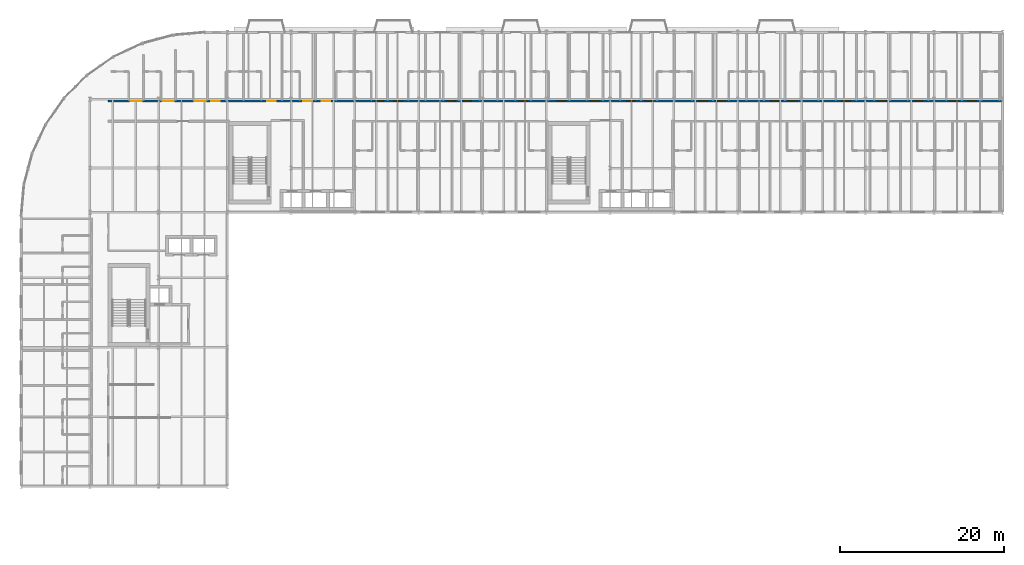
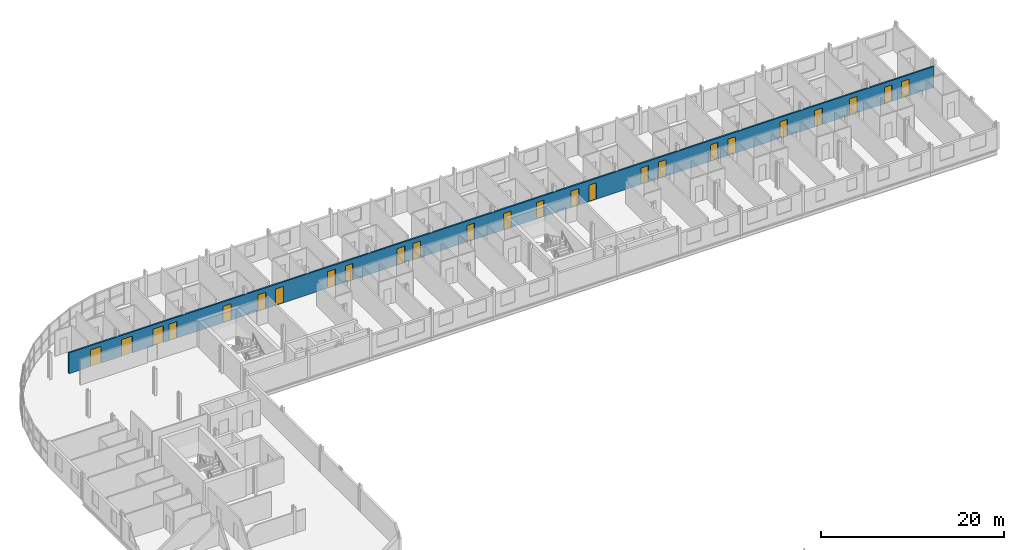
# One storey, part 28 of 36: 25 doors, 1 wall, 25 openings.
"""IFC4 building model written with IfcOpenShell, lengths in metres."""

from ifc_helpers import new_model, si_unit, direction, frame, frame_2d, origin, place, context, subcontext, project, spatial, rectangle, extrude, material, layer, layer_set, type_object, element, fill, save


model = new_model("IFC4")

# Units and contexts
model_context = context("Model", 3, precision=1e-05, world=origin(), true_north=direction((0.0, 1.0)))
body_context = subcontext(model_context, "Body", "Model", "MODEL_VIEW")
ifc_project = project(units=[si_unit("LENGTHUNIT", "METRE"), si_unit("AREAUNIT", "SQUARE_METRE"), si_unit("VOLUMEUNIT", "CUBIC_METRE"), si_unit("PLANEANGLEUNIT", "RADIAN"), si_unit("MASSUNIT", "GRAM", prefix="KILO")], contexts=[model_context])

# Site, building, storey
site_placement = place(None, origin())
site = spatial("IfcSite", under=ifc_project, at=site_placement, CompositionType="ELEMENT")
building_placement = place(site_placement, origin())
building = spatial("IfcBuilding", under=site, at=building_placement, Name="Sefraquen Railside Congress Hotel", CompositionType="ELEMENT")
storey_placement = place(building_placement, frame((0.0, 0.0, 28.199951171875)))
storey = spatial("IfcBuildingStorey", under=building, at=storey_placement, Name="L06", CompositionType="ELEMENT", Elevation=28.199951171875)

# Wall, openings, doors
ifc_material_1 = material(Name="Acoustic gypsum board on metal stud", Category="gypsum")
ifc_layer = layer(ifc_material_1, 0.199951171875)
ifc_layer_set = layer_set([ifc_layer], Name="Acoustic gypsum board on metal stud")
wall_type = type_object("IfcWallType", Name="TW-PW-200", PredefinedType="PARTITIONING", material=ifc_layer_set)
wall_placement = place(storey_placement, frame((10.64990234375, 109.60009765625, 0.0), z_axis=(0.0, 0.0, 1.0), x_axis=(1.0, 0.0, 0.0)))
wall = element("IfcWall", 1, at=wall_placement, inside=storey, type_object=wall_type, Name="Hotel L06 north corridor fire-rated partition", PredefinedType="PARTITIONING", context=body_context, shape_type="SweptSolid", body=[
    extrude(rectangle(XDim=109.210205078125, YDim=0.199951171875, at=frame_2d((54.60498046875, 0.0))), origin(), (0.0, 0.0, 1.0), 2.800048828125),
])
opening_1_placement = place(wall_placement, frame((12.611083984375, 0.0, 0.0)))
opening_1 = element("IfcOpeningElement", 2, at=opening_1_placement, cuts=wall, Name="Opening GD-01", PredefinedType="OPENING", context=body_context, shape_type="SweptSolid", body=[
    extrude(rectangle(XDim=1.02001953125, YDim=2.199951171875, at=frame_2d((0.510009765625, 1.10009765625))), frame((0.0, 0.10986328125, 0.0), z_axis=(0.0, -1.0, 0.0), x_axis=(1.0, 0.0, 0.0)), (0.0, 0.0, 1.0), 0.219970703125),
])
opening_2_placement = place(wall_placement, frame((19.450927734375, 0.0, 0.0)))
opening_2 = element("IfcOpeningElement", 3, at=opening_2_placement, cuts=wall, Name="Opening GD-01", PredefinedType="OPENING", context=body_context, shape_type="SweptSolid", body=[
    extrude(rectangle(XDim=1.02001953125, YDim=2.199951171875, at=frame_2d((0.510009765625, 1.10009765625))), frame((0.0, 0.10986328125, 0.0), z_axis=(0.0, -1.0, 0.0), x_axis=(1.0, 0.0, 0.0)), (0.0, 0.0, 1.0), 0.219970703125),
])
opening_3_placement = place(wall_placement, frame((23.842041015625, 0.0, 0.0)))
opening_3 = element("IfcOpeningElement", 4, at=opening_3_placement, cuts=wall, Name="Opening GD-01", PredefinedType="OPENING", context=body_context, shape_type="SweptSolid", body=[
    extrude(rectangle(XDim=1.02001953125, YDim=2.199951171875, at=frame_2d((0.510009765625, 1.10009765625))), frame((0.0, 0.10986328125, 0.0), z_axis=(0.0, -1.0, 0.0), x_axis=(1.0, 0.0, 0.0)), (0.0, 0.0, 1.0), 0.219970703125),
])
opening_4_placement = place(wall_placement, frame((26.083984375, 0.0, 0.0)))
opening_4 = element("IfcOpeningElement", 5, at=opening_4_placement, cuts=wall, Name="Opening GD-01", PredefinedType="OPENING", context=body_context, shape_type="SweptSolid", body=[
    extrude(rectangle(XDim=1.02001953125, YDim=2.199951171875, at=frame_2d((0.510009765625, 1.10009765625))), frame((0.0, 0.10986328125, 0.0), z_axis=(0.0, -1.0, 0.0), x_axis=(1.0, 0.0, 0.0)), (0.0, 0.0, 1.0), 0.219970703125),
])
opening_5_placement = place(wall_placement, frame((32.655029296875, 0.0, 0.0)))
opening_5 = element("IfcOpeningElement", 6, at=opening_5_placement, cuts=wall, Name="Opening GD-02", PredefinedType="OPENING", context=body_context, shape_type="SweptSolid", body=[
    extrude(rectangle(XDim=0.9599609375, YDim=2.199951171875, at=frame_2d((0.47998046875, 1.10009765625))), frame((0.0, 0.10986328125, 0.0), z_axis=(0.0, -1.0, 0.0), x_axis=(1.0, 0.0, 0.0)), (0.0, 0.0, 1.0), 0.219970703125),
])
opening_6_placement = place(wall_placement, frame((34.89501953125, 0.0, 0.0)))
opening_6 = element("IfcOpeningElement", 7, at=opening_6_placement, cuts=wall, Name="Opening GD-02", PredefinedType="OPENING", context=body_context, shape_type="SweptSolid", body=[
    extrude(rectangle(XDim=0.9599609375, YDim=2.199951171875, at=frame_2d((0.47998046875, 1.10009765625))), frame((0.0, 0.10986328125, 0.0), z_axis=(0.0, -1.0, 0.0), x_axis=(1.0, 0.0, 0.0)), (0.0, 0.0, 1.0), 0.219970703125),
])
opening_7_placement = place(wall_placement, frame((41.43603515625, 0.0, 0.0)))
opening_7 = element("IfcOpeningElement", 8, at=opening_7_placement, cuts=wall, Name="Opening GD-02", PredefinedType="OPENING", context=body_context, shape_type="SweptSolid", body=[
    extrude(rectangle(XDim=0.9599609375, YDim=2.199951171875, at=frame_2d((0.47998046875, 1.10009765625))), frame((0.0, 0.10986328125, 0.0), z_axis=(0.0, -1.0, 0.0), x_axis=(1.0, 0.0, 0.0)), (0.0, 0.0, 1.0), 0.219970703125),
])
opening_8_placement = place(wall_placement, frame((43.427001953125, 0.0, 0.0)))
opening_8 = element("IfcOpeningElement", 9, at=opening_8_placement, cuts=wall, Name="Opening GD-02", PredefinedType="OPENING", context=body_context, shape_type="SweptSolid", body=[
    extrude(rectangle(XDim=0.9599609375, YDim=2.199951171875, at=frame_2d((0.47998046875, 1.10009765625))), frame((0.0, 0.10986328125, 0.0), z_axis=(0.0, -1.0, 0.0), x_axis=(1.0, 0.0, 0.0)), (0.0, 0.0, 1.0), 0.219970703125),
])
opening_9_placement = place(wall_placement, frame((50.218017578125, 0.0, 0.0)))
opening_9 = element("IfcOpeningElement", 10, at=opening_9_placement, cuts=wall, Name="Opening GD-02", PredefinedType="OPENING", context=body_context, shape_type="SweptSolid", body=[
    extrude(rectangle(XDim=0.9599609375, YDim=2.199951171875, at=frame_2d((0.47998046875, 1.10009765625))), frame((0.0, 0.10986328125, 0.0), z_axis=(0.0, -1.0, 0.0), x_axis=(1.0, 0.0, 0.0)), (0.0, 0.0, 1.0), 0.219970703125),
])
opening_10_placement = place(wall_placement, frame((54.85888671875, 0.0, 0.0)))
opening_10 = element("IfcOpeningElement", 11, at=opening_10_placement, cuts=wall, Name="Opening GD-02", PredefinedType="OPENING", context=body_context, shape_type="SweptSolid", body=[
    extrude(rectangle(XDim=0.9599609375, YDim=2.199951171875, at=frame_2d((0.47998046875, 1.10009765625))), frame((0.0, 0.10986328125, 0.0), z_axis=(0.0, -1.0, 0.0), x_axis=(1.0, 0.0, 0.0)), (0.0, 0.0, 1.0), 0.219970703125),
])
opening_11_placement = place(wall_placement, frame((59.0, 0.0, 0.0)))
opening_11 = element("IfcOpeningElement", 12, at=opening_11_placement, cuts=wall, Name="Opening GD-02", PredefinedType="OPENING", context=body_context, shape_type="SweptSolid", body=[
    extrude(rectangle(XDim=0.9599609375, YDim=2.199951171875, at=frame_2d((0.47998046875, 1.10009765625))), frame((0.0, 0.10986328125, 0.0), z_axis=(0.0, -1.0, 0.0), x_axis=(1.0, 0.0, 0.0)), (0.0, 0.0, 1.0), 0.219970703125),
])
opening_12_placement = place(wall_placement, frame((63.389892578125, 0.0, 0.0)))
opening_12 = element("IfcOpeningElement", 13, at=opening_12_placement, cuts=wall, Name="Opening GD-02", PredefinedType="OPENING", context=body_context, shape_type="SweptSolid", body=[
    extrude(rectangle(XDim=0.9599609375, YDim=2.199951171875, at=frame_2d((0.47998046875, 1.10009765625))), frame((0.0, 0.10986328125, 0.0), z_axis=(0.0, -1.0, 0.0), x_axis=(1.0, 0.0, 0.0)), (0.0, 0.0, 1.0), 0.219970703125),
])
opening_13_placement = place(wall_placement, frame((65.631103515625, 0.0, 0.0)))
opening_13 = element("IfcOpeningElement", 14, at=opening_13_placement, cuts=wall, Name="Opening GD-02", PredefinedType="OPENING", context=body_context, shape_type="SweptSolid", body=[
    extrude(rectangle(XDim=0.9599609375, YDim=2.199951171875, at=frame_2d((0.47998046875, 1.10009765625))), frame((0.0, 0.10986328125, 0.0), z_axis=(0.0, -1.0, 0.0), x_axis=(1.0, 0.0, 0.0)), (0.0, 0.0, 1.0), 0.219970703125),
])
opening_14_placement = place(wall_placement, frame((72.172119140625, 0.0, 0.0)))
opening_14 = element("IfcOpeningElement", 15, at=opening_14_placement, cuts=wall, Name="Opening GD-02", PredefinedType="OPENING", context=body_context, shape_type="SweptSolid", body=[
    extrude(rectangle(XDim=0.9599609375, YDim=2.199951171875, at=frame_2d((0.47998046875, 1.10009765625))), frame((0.0, 0.10986328125, 0.0), z_axis=(0.0, -1.0, 0.0), x_axis=(1.0, 0.0, 0.0)), (0.0, 0.0, 1.0), 0.219970703125),
])
opening_15_placement = place(wall_placement, frame((74.4130859375, 0.0, 0.0)))
opening_15 = element("IfcOpeningElement", 16, at=opening_15_placement, cuts=wall, Name="Opening GD-02", PredefinedType="OPENING", context=body_context, shape_type="SweptSolid", body=[
    extrude(rectangle(XDim=0.9599609375, YDim=2.199951171875, at=frame_2d((0.47998046875, 1.10009765625))), frame((0.0, 0.10986328125, 0.0), z_axis=(0.0, -1.0, 0.0), x_axis=(1.0, 0.0, 0.0)), (0.0, 0.0, 1.0), 0.219970703125),
])
opening_16_placement = place(wall_placement, frame((80.9541015625, 0.0, 0.0)))
opening_16 = element("IfcOpeningElement", 17, at=opening_16_placement, cuts=wall, Name="Opening GD-02", PredefinedType="OPENING", context=body_context, shape_type="SweptSolid", body=[
    extrude(rectangle(XDim=0.9599609375, YDim=2.199951171875, at=frame_2d((0.47998046875, 1.10009765625))), frame((0.0, 0.10986328125, 0.0), z_axis=(0.0, -1.0, 0.0), x_axis=(1.0, 0.0, 0.0)), (0.0, 0.0, 1.0), 0.219970703125),
])
opening_17_placement = place(wall_placement, frame((83.195068359375, 0.0, 0.0)))
opening_17 = element("IfcOpeningElement", 18, at=opening_17_placement, cuts=wall, Name="Opening GD-02", PredefinedType="OPENING", context=body_context, shape_type="SweptSolid", body=[
    extrude(rectangle(XDim=0.9599609375, YDim=2.199951171875, at=frame_2d((0.47998046875, 1.10009765625))), frame((0.0, 0.10986328125, 0.0), z_axis=(0.0, -1.0, 0.0), x_axis=(1.0, 0.0, 0.0)), (0.0, 0.0, 1.0), 0.219970703125),
])
opening_18_placement = place(wall_placement, frame((89.735107421875, 0.0, 0.0)))
opening_18 = element("IfcOpeningElement", 19, at=opening_18_placement, cuts=wall, Name="Opening GD-02", PredefinedType="OPENING", context=body_context, shape_type="SweptSolid", body=[
    extrude(rectangle(XDim=0.9599609375, YDim=2.199951171875, at=frame_2d((0.47998046875, 1.10009765625))), frame((0.0, 0.10986328125, 0.0), z_axis=(0.0, -1.0, 0.0), x_axis=(1.0, 0.0, 0.0)), (0.0, 0.0, 1.0), 0.219970703125),
])
opening_19_placement = place(wall_placement, frame((94.1259765625, 0.0, 0.0)))
opening_19 = element("IfcOpeningElement", 20, at=opening_19_placement, cuts=wall, Name="Opening GD-02", PredefinedType="OPENING", context=body_context, shape_type="SweptSolid", body=[
    extrude(rectangle(XDim=0.9599609375, YDim=2.199951171875, at=frame_2d((0.47998046875, 1.10009765625))), frame((0.0, 0.10986328125, 0.0), z_axis=(0.0, -1.0, 0.0), x_axis=(1.0, 0.0, 0.0)), (0.0, 0.0, 1.0), 0.219970703125),
])
opening_20_placement = place(wall_placement, frame((98.51708984375, 0.0, 0.0)))
opening_20 = element("IfcOpeningElement", 21, at=opening_20_placement, cuts=wall, Name="Opening GD-02", PredefinedType="OPENING", context=body_context, shape_type="SweptSolid", body=[
    extrude(rectangle(XDim=0.9599609375, YDim=2.199951171875, at=frame_2d((0.47998046875, 1.10009765625))), frame((0.0, 0.10986328125, 0.0), z_axis=(0.0, -1.0, 0.0), x_axis=(1.0, 0.0, 0.0)), (0.0, 0.0, 1.0), 0.219970703125),
])
opening_21_placement = place(wall_placement, frame((102.907958984375, 0.0, 0.0)))
opening_21 = element("IfcOpeningElement", 22, at=opening_21_placement, cuts=wall, Name="Opening GD-02", PredefinedType="OPENING", context=body_context, shape_type="SweptSolid", body=[
    extrude(rectangle(XDim=0.9599609375, YDim=2.199951171875, at=frame_2d((0.47998046875, 1.10009765625))), frame((0.0, 0.10986328125, 0.0), z_axis=(0.0, -1.0, 0.0), x_axis=(1.0, 0.0, 0.0)), (0.0, 0.0, 1.0), 0.219970703125),
])
opening_22_placement = place(wall_placement, frame((105.09912109375, 0.0, 0.0)))
opening_22 = element("IfcOpeningElement", 23, at=opening_22_placement, cuts=wall, Name="Opening GD-02", PredefinedType="OPENING", context=body_context, shape_type="SweptSolid", body=[
    extrude(rectangle(XDim=0.9599609375, YDim=2.199951171875, at=frame_2d((0.47998046875, 1.10009765625))), frame((0.0, 0.10986328125, 0.0), z_axis=(0.0, -1.0, 0.0), x_axis=(1.0, 0.0, 0.0)), (0.0, 0.0, 1.0), 0.219970703125),
])
opening_23_placement = place(wall_placement, frame((2.716064453125, 0.0, 0.0)))
opening_23 = element("IfcOpeningElement", 24, at=opening_23_placement, cuts=wall, Name="Opening GD-03", PredefinedType="OPENING", context=body_context, shape_type="SweptSolid", body=[
    extrude(rectangle(XDim=1.35009765625, YDim=2.25, at=frame_2d((0.675048828125, 1.125))), frame((0.0, 0.10986328125, 0.0), z_axis=(0.0, -1.0, 0.0), x_axis=(1.0, 0.0, 0.0)), (0.0, 0.0, 1.0), 0.219970703125),
])
opening_24_placement = place(wall_placement, frame((6.64990234375, 0.0, 0.0)))
opening_24 = element("IfcOpeningElement", 25, at=opening_24_placement, cuts=wall, Name="Opening GD-03", PredefinedType="OPENING", context=body_context, shape_type="SweptSolid", body=[
    extrude(rectangle(XDim=1.35009765625, YDim=2.25, at=frame_2d((0.675048828125, 1.125))), frame((0.0, 0.10986328125, 0.0), z_axis=(0.0, -1.0, 0.0), x_axis=(1.0, 0.0, 0.0)), (0.0, 0.0, 1.0), 0.219970703125),
])
opening_25_placement = place(wall_placement, frame((10.5830078125, 0.0, 0.0)))
opening_25 = element("IfcOpeningElement", 26, at=opening_25_placement, cuts=wall, Name="Opening GD-03", PredefinedType="OPENING", context=body_context, shape_type="SweptSolid", body=[
    extrude(rectangle(XDim=1.35009765625, YDim=2.25, at=frame_2d((0.675048828125, 1.125))), frame((0.0, 0.10986328125, 0.0), z_axis=(0.0, -1.0, 0.0), x_axis=(1.0, 0.0, 0.0)), (0.0, 0.0, 1.0), 0.219970703125),
])
ifc_material_2 = material(Name="Solid Atlas cedar timber fire leaf", Category="wood")
door_type_1 = type_object("IfcDoorType", Name="TD-GD-01", OperationType="NOTDEFINED", PredefinedType="DOOR", material=ifc_material_2)
door_1_placement = place(opening_1_placement, origin())
door_1 = element("IfcDoor", 27, at=door_1_placement, inside=storey, type_object=door_type_1, Name="Guest room entrance fire door RM-001", OperationType="SINGLE_SWING_RIGHT", OverallHeight=2.199951171875, OverallWidth=1.02001953125, PredefinedType="DOOR", context=body_context, shape_type="SweptSolid", body=[
    extrude(rectangle(XDim=1.02001953125, YDim=2.199951171875, at=frame_2d((0.510009765625, 1.10009765625))), frame((0.0, 0.02490234375, 0.0), z_axis=(0.0, -1.0, 0.0), x_axis=(1.0, 0.0, 0.0)), (0.0, 0.0, 1.0), 0.050048828125),
])
fill(opening_1, door_1)
door_2_placement = place(opening_2_placement, origin())
door_2 = element("IfcDoor", 28, at=door_2_placement, inside=storey, type_object=door_type_1, Name="Guest room entrance fire door RM-002", OperationType="SINGLE_SWING_RIGHT", OverallHeight=2.199951171875, OverallWidth=1.02001953125, PredefinedType="DOOR", context=body_context, shape_type="SweptSolid", body=[
    extrude(rectangle(XDim=1.02001953125, YDim=2.199951171875, at=frame_2d((0.510009765625, 1.10009765625))), frame((0.0, 0.02490234375, 0.0), z_axis=(0.0, -1.0, 0.0), x_axis=(1.0, 0.0, 0.0)), (0.0, 0.0, 1.0), 0.050048828125),
])
fill(opening_2, door_2)
door_3_placement = place(opening_3_placement, origin())
door_3 = element("IfcDoor", 29, at=door_3_placement, inside=storey, type_object=door_type_1, Name="Guest room entrance fire door RM-003", OperationType="SINGLE_SWING_RIGHT", OverallHeight=2.199951171875, OverallWidth=1.02001953125, PredefinedType="DOOR", context=body_context, shape_type="SweptSolid", body=[
    extrude(rectangle(XDim=1.02001953125, YDim=2.199951171875, at=frame_2d((0.510009765625, 1.10009765625))), frame((0.0, 0.02490234375, 0.0), z_axis=(0.0, -1.0, 0.0), x_axis=(1.0, 0.0, 0.0)), (0.0, 0.0, 1.0), 0.050048828125),
])
fill(opening_3, door_3)
door_4_placement = place(opening_4_placement, origin())
door_4 = element("IfcDoor", 30, at=door_4_placement, inside=storey, type_object=door_type_1, Name="Guest room entrance fire door RM-004", OperationType="SINGLE_SWING_RIGHT", OverallHeight=2.199951171875, OverallWidth=1.02001953125, PredefinedType="DOOR", context=body_context, shape_type="SweptSolid", body=[
    extrude(rectangle(XDim=1.02001953125, YDim=2.199951171875, at=frame_2d((0.510009765625, 1.10009765625))), frame((0.0, 0.02490234375, 0.0), z_axis=(0.0, -1.0, 0.0), x_axis=(1.0, 0.0, 0.0)), (0.0, 0.0, 1.0), 0.050048828125),
])
fill(opening_4, door_4)
door_type_2 = type_object("IfcDoorType", Name="TD-GD-02", OperationType="NOTDEFINED", PredefinedType="DOOR", material=ifc_material_2)
door_5_placement = place(opening_5_placement, origin())
door_5 = element("IfcDoor", 31, at=door_5_placement, inside=storey, type_object=door_type_2, Name="Guest room entrance fire door RM-005", OperationType="SINGLE_SWING_RIGHT", OverallHeight=2.199951171875, OverallWidth=0.9599609375, PredefinedType="DOOR", context=body_context, shape_type="SweptSolid", body=[
    extrude(rectangle(XDim=0.9599609375, YDim=2.199951171875, at=frame_2d((0.47998046875, 1.10009765625))), frame((0.0, 0.02490234375, 0.0), z_axis=(0.0, -1.0, 0.0), x_axis=(1.0, 0.0, 0.0)), (0.0, 0.0, 1.0), 0.050048828125),
])
fill(opening_5, door_5)
door_6_placement = place(opening_6_placement, origin())
door_6 = element("IfcDoor", 32, at=door_6_placement, inside=storey, type_object=door_type_2, Name="Guest room entrance fire door RM-006", OperationType="SINGLE_SWING_RIGHT", OverallHeight=2.199951171875, OverallWidth=0.9599609375, PredefinedType="DOOR", context=body_context, shape_type="SweptSolid", body=[
    extrude(rectangle(XDim=0.9599609375, YDim=2.199951171875, at=frame_2d((0.47998046875, 1.10009765625))), frame((0.0, 0.02490234375, 0.0), z_axis=(0.0, -1.0, 0.0), x_axis=(1.0, 0.0, 0.0)), (0.0, 0.0, 1.0), 0.050048828125),
])
fill(opening_6, door_6)
door_7_placement = place(opening_7_placement, origin())
door_7 = element("IfcDoor", 33, at=door_7_placement, inside=storey, type_object=door_type_2, Name="Guest room entrance fire door RM-007", OperationType="SINGLE_SWING_RIGHT", OverallHeight=2.199951171875, OverallWidth=0.9599609375, PredefinedType="DOOR", context=body_context, shape_type="SweptSolid", body=[
    extrude(rectangle(XDim=0.9599609375, YDim=2.199951171875, at=frame_2d((0.47998046875, 1.10009765625))), frame((0.0, 0.02490234375, 0.0), z_axis=(0.0, -1.0, 0.0), x_axis=(1.0, 0.0, 0.0)), (0.0, 0.0, 1.0), 0.050048828125),
])
fill(opening_7, door_7)
door_8_placement = place(opening_8_placement, origin())
door_8 = element("IfcDoor", 34, at=door_8_placement, inside=storey, type_object=door_type_2, Name="Guest room entrance fire door RM-008", OperationType="SINGLE_SWING_RIGHT", OverallHeight=2.199951171875, OverallWidth=0.9599609375, PredefinedType="DOOR", context=body_context, shape_type="SweptSolid", body=[
    extrude(rectangle(XDim=0.9599609375, YDim=2.199951171875, at=frame_2d((0.47998046875, 1.10009765625))), frame((0.0, 0.02490234375, 0.0), z_axis=(0.0, -1.0, 0.0), x_axis=(1.0, 0.0, 0.0)), (0.0, 0.0, 1.0), 0.050048828125),
])
fill(opening_8, door_8)
door_9_placement = place(opening_9_placement, origin())
door_9 = element("IfcDoor", 35, at=door_9_placement, inside=storey, type_object=door_type_2, Name="Guest room entrance fire door RM-009", OperationType="SINGLE_SWING_RIGHT", OverallHeight=2.199951171875, OverallWidth=0.9599609375, PredefinedType="DOOR", context=body_context, shape_type="SweptSolid", body=[
    extrude(rectangle(XDim=0.9599609375, YDim=2.199951171875, at=frame_2d((0.47998046875, 1.10009765625))), frame((0.0, 0.02490234375, 0.0), z_axis=(0.0, -1.0, 0.0), x_axis=(1.0, 0.0, 0.0)), (0.0, 0.0, 1.0), 0.050048828125),
])
fill(opening_9, door_9)
door_10_placement = place(opening_10_placement, origin())
door_10 = element("IfcDoor", 36, at=door_10_placement, inside=storey, type_object=door_type_2, Name="Guest room entrance fire door RM-010", OperationType="SINGLE_SWING_RIGHT", OverallHeight=2.199951171875, OverallWidth=0.9599609375, PredefinedType="DOOR", context=body_context, shape_type="SweptSolid", body=[
    extrude(rectangle(XDim=0.9599609375, YDim=2.199951171875, at=frame_2d((0.47998046875, 1.10009765625))), frame((0.0, 0.02490234375, 0.0), z_axis=(0.0, -1.0, 0.0), x_axis=(1.0, 0.0, 0.0)), (0.0, 0.0, 1.0), 0.050048828125),
])
fill(opening_10, door_10)
door_11_placement = place(opening_11_placement, origin())
door_11 = element("IfcDoor", 37, at=door_11_placement, inside=storey, type_object=door_type_2, Name="Guest room entrance fire door RM-011", OperationType="SINGLE_SWING_RIGHT", OverallHeight=2.199951171875, OverallWidth=0.9599609375, PredefinedType="DOOR", context=body_context, shape_type="SweptSolid", body=[
    extrude(rectangle(XDim=0.9599609375, YDim=2.199951171875, at=frame_2d((0.47998046875, 1.10009765625))), frame((0.0, 0.02490234375, 0.0), z_axis=(0.0, -1.0, 0.0), x_axis=(1.0, 0.0, 0.0)), (0.0, 0.0, 1.0), 0.050048828125),
])
fill(opening_11, door_11)
door_12_placement = place(opening_12_placement, origin())
door_12 = element("IfcDoor", 38, at=door_12_placement, inside=storey, type_object=door_type_2, Name="Guest room entrance fire door RM-012", OperationType="SINGLE_SWING_RIGHT", OverallHeight=2.199951171875, OverallWidth=0.9599609375, PredefinedType="DOOR", context=body_context, shape_type="SweptSolid", body=[
    extrude(rectangle(XDim=0.9599609375, YDim=2.199951171875, at=frame_2d((0.47998046875, 1.10009765625))), frame((0.0, 0.02490234375, 0.0), z_axis=(0.0, -1.0, 0.0), x_axis=(1.0, 0.0, 0.0)), (0.0, 0.0, 1.0), 0.050048828125),
])
fill(opening_12, door_12)
door_13_placement = place(opening_13_placement, origin())
door_13 = element("IfcDoor", 39, at=door_13_placement, inside=storey, type_object=door_type_2, Name="Guest room entrance fire door RM-013", OperationType="SINGLE_SWING_RIGHT", OverallHeight=2.199951171875, OverallWidth=0.9599609375, PredefinedType="DOOR", context=body_context, shape_type="SweptSolid", body=[
    extrude(rectangle(XDim=0.9599609375, YDim=2.199951171875, at=frame_2d((0.47998046875, 1.10009765625))), frame((0.0, 0.02490234375, 0.0), z_axis=(0.0, -1.0, 0.0), x_axis=(1.0, 0.0, 0.0)), (0.0, 0.0, 1.0), 0.050048828125),
])
fill(opening_13, door_13)
door_14_placement = place(opening_14_placement, origin())
door_14 = element("IfcDoor", 40, at=door_14_placement, inside=storey, type_object=door_type_2, Name="Guest room entrance fire door RM-014", OperationType="SINGLE_SWING_RIGHT", OverallHeight=2.199951171875, OverallWidth=0.9599609375, PredefinedType="DOOR", context=body_context, shape_type="SweptSolid", body=[
    extrude(rectangle(XDim=0.9599609375, YDim=2.199951171875, at=frame_2d((0.47998046875, 1.10009765625))), frame((0.0, 0.02490234375, 0.0), z_axis=(0.0, -1.0, 0.0), x_axis=(1.0, 0.0, 0.0)), (0.0, 0.0, 1.0), 0.050048828125),
])
fill(opening_14, door_14)
door_15_placement = place(opening_15_placement, origin())
door_15 = element("IfcDoor", 41, at=door_15_placement, inside=storey, type_object=door_type_2, Name="Guest room entrance fire door RM-015", OperationType="SINGLE_SWING_RIGHT", OverallHeight=2.199951171875, OverallWidth=0.9599609375, PredefinedType="DOOR", context=body_context, shape_type="SweptSolid", body=[
    extrude(rectangle(XDim=0.9599609375, YDim=2.199951171875, at=frame_2d((0.47998046875, 1.10009765625))), frame((0.0, 0.02490234375, 0.0), z_axis=(0.0, -1.0, 0.0), x_axis=(1.0, 0.0, 0.0)), (0.0, 0.0, 1.0), 0.050048828125),
])
fill(opening_15, door_15)
door_16_placement = place(opening_16_placement, origin())
door_16 = element("IfcDoor", 42, at=door_16_placement, inside=storey, type_object=door_type_2, Name="Guest room entrance fire door RM-016", OperationType="SINGLE_SWING_RIGHT", OverallHeight=2.199951171875, OverallWidth=0.9599609375, PredefinedType="DOOR", context=body_context, shape_type="SweptSolid", body=[
    extrude(rectangle(XDim=0.9599609375, YDim=2.199951171875, at=frame_2d((0.47998046875, 1.10009765625))), frame((0.0, 0.02490234375, 0.0), z_axis=(0.0, -1.0, 0.0), x_axis=(1.0, 0.0, 0.0)), (0.0, 0.0, 1.0), 0.050048828125),
])
fill(opening_16, door_16)
door_17_placement = place(opening_17_placement, origin())
door_17 = element("IfcDoor", 43, at=door_17_placement, inside=storey, type_object=door_type_2, Name="Guest room entrance fire door RM-017", OperationType="SINGLE_SWING_RIGHT", OverallHeight=2.199951171875, OverallWidth=0.9599609375, PredefinedType="DOOR", context=body_context, shape_type="SweptSolid", body=[
    extrude(rectangle(XDim=0.9599609375, YDim=2.199951171875, at=frame_2d((0.47998046875, 1.10009765625))), frame((0.0, 0.02490234375, 0.0), z_axis=(0.0, -1.0, 0.0), x_axis=(1.0, 0.0, 0.0)), (0.0, 0.0, 1.0), 0.050048828125),
])
fill(opening_17, door_17)
door_18_placement = place(opening_18_placement, origin())
door_18 = element("IfcDoor", 44, at=door_18_placement, inside=storey, type_object=door_type_2, Name="Guest room entrance fire door RM-018", OperationType="SINGLE_SWING_RIGHT", OverallHeight=2.199951171875, OverallWidth=0.9599609375, PredefinedType="DOOR", context=body_context, shape_type="SweptSolid", body=[
    extrude(rectangle(XDim=0.9599609375, YDim=2.199951171875, at=frame_2d((0.47998046875, 1.10009765625))), frame((0.0, 0.02490234375, 0.0), z_axis=(0.0, -1.0, 0.0), x_axis=(1.0, 0.0, 0.0)), (0.0, 0.0, 1.0), 0.050048828125),
])
fill(opening_18, door_18)
door_19_placement = place(opening_19_placement, origin())
door_19 = element("IfcDoor", 45, at=door_19_placement, inside=storey, type_object=door_type_2, Name="Guest room entrance fire door RM-019", OperationType="SINGLE_SWING_RIGHT", OverallHeight=2.199951171875, OverallWidth=0.9599609375, PredefinedType="DOOR", context=body_context, shape_type="SweptSolid", body=[
    extrude(rectangle(XDim=0.9599609375, YDim=2.199951171875, at=frame_2d((0.47998046875, 1.10009765625))), frame((0.0, 0.02490234375, 0.0), z_axis=(0.0, -1.0, 0.0), x_axis=(1.0, 0.0, 0.0)), (0.0, 0.0, 1.0), 0.050048828125),
])
fill(opening_19, door_19)
door_20_placement = place(opening_20_placement, origin())
door_20 = element("IfcDoor", 46, at=door_20_placement, inside=storey, type_object=door_type_2, Name="Guest room entrance fire door RM-020", OperationType="SINGLE_SWING_RIGHT", OverallHeight=2.199951171875, OverallWidth=0.9599609375, PredefinedType="DOOR", context=body_context, shape_type="SweptSolid", body=[
    extrude(rectangle(XDim=0.9599609375, YDim=2.199951171875, at=frame_2d((0.47998046875, 1.10009765625))), frame((0.0, 0.02490234375, 0.0), z_axis=(0.0, -1.0, 0.0), x_axis=(1.0, 0.0, 0.0)), (0.0, 0.0, 1.0), 0.050048828125),
])
fill(opening_20, door_20)
door_21_placement = place(opening_21_placement, origin())
door_21 = element("IfcDoor", 47, at=door_21_placement, inside=storey, type_object=door_type_2, Name="Guest room entrance fire door RM-021", OperationType="SINGLE_SWING_RIGHT", OverallHeight=2.199951171875, OverallWidth=0.9599609375, PredefinedType="DOOR", context=body_context, shape_type="SweptSolid", body=[
    extrude(rectangle(XDim=0.9599609375, YDim=2.199951171875, at=frame_2d((0.47998046875, 1.10009765625))), frame((0.0, 0.02490234375, 0.0), z_axis=(0.0, -1.0, 0.0), x_axis=(1.0, 0.0, 0.0)), (0.0, 0.0, 1.0), 0.050048828125),
])
fill(opening_21, door_21)
door_22_placement = place(opening_22_placement, origin())
door_22 = element("IfcDoor", 48, at=door_22_placement, inside=storey, type_object=door_type_2, Name="Guest room entrance fire door RM-022", OperationType="SINGLE_SWING_RIGHT", OverallHeight=2.199951171875, OverallWidth=0.9599609375, PredefinedType="DOOR", context=body_context, shape_type="SweptSolid", body=[
    extrude(rectangle(XDim=0.9599609375, YDim=2.199951171875, at=frame_2d((0.47998046875, 1.10009765625))), frame((0.0, 0.02490234375, 0.0), z_axis=(0.0, -1.0, 0.0), x_axis=(1.0, 0.0, 0.0)), (0.0, 0.0, 1.0), 0.050048828125),
])
fill(opening_22, door_22)
door_type_3 = type_object("IfcDoorType", Name="TD-GD-03", OperationType="NOTDEFINED", PredefinedType="DOOR", material=ifc_material_2)
door_23_placement = place(opening_23_placement, origin())
door_23 = element("IfcDoor", 49, at=door_23_placement, inside=storey, type_object=door_type_3, Name="Guest room entrance fire door RM-047", OperationType="DOUBLE_SWING_LEFT", OverallHeight=2.25, OverallWidth=1.35009765625, PredefinedType="DOOR", context=body_context, shape_type="SweptSolid", body=[
    extrude(rectangle(XDim=1.35009765625, YDim=2.25, at=frame_2d((0.675048828125, 1.125))), frame((0.0, 0.02490234375, 0.0), z_axis=(0.0, -1.0, 0.0), x_axis=(1.0, 0.0, 0.0)), (0.0, 0.0, 1.0), 0.050048828125),
])
fill(opening_23, door_23)
door_24_placement = place(opening_24_placement, origin())
door_24 = element("IfcDoor", 50, at=door_24_placement, inside=storey, type_object=door_type_3, Name="Guest room entrance fire door RM-048", OperationType="DOUBLE_SWING_LEFT", OverallHeight=2.25, OverallWidth=1.35009765625, PredefinedType="DOOR", context=body_context, shape_type="SweptSolid", body=[
    extrude(rectangle(XDim=1.35009765625, YDim=2.25, at=frame_2d((0.675048828125, 1.125))), frame((0.0, 0.02490234375, 0.0), z_axis=(0.0, -1.0, 0.0), x_axis=(1.0, 0.0, 0.0)), (0.0, 0.0, 1.0), 0.050048828125),
])
fill(opening_24, door_24)
door_25_placement = place(opening_25_placement, origin())
door_25 = element("IfcDoor", 51, at=door_25_placement, inside=storey, type_object=door_type_3, Name="Guest room entrance fire door RM-049", OperationType="DOUBLE_SWING_LEFT", OverallHeight=2.25, OverallWidth=1.35009765625, PredefinedType="DOOR", context=body_context, shape_type="SweptSolid", body=[
    extrude(rectangle(XDim=1.35009765625, YDim=2.25, at=frame_2d((0.675048828125, 1.125))), frame((0.0, 0.02490234375, 0.0), z_axis=(0.0, -1.0, 0.0), x_axis=(1.0, 0.0, 0.0)), (0.0, 0.0, 1.0), 0.050048828125),
])
fill(opening_25, door_25)

save(model, "model.ifc")
